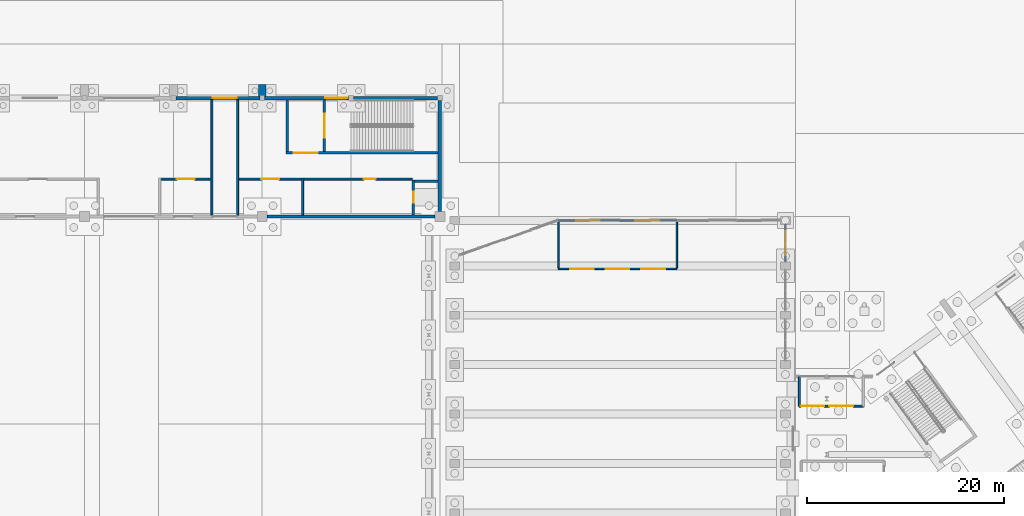
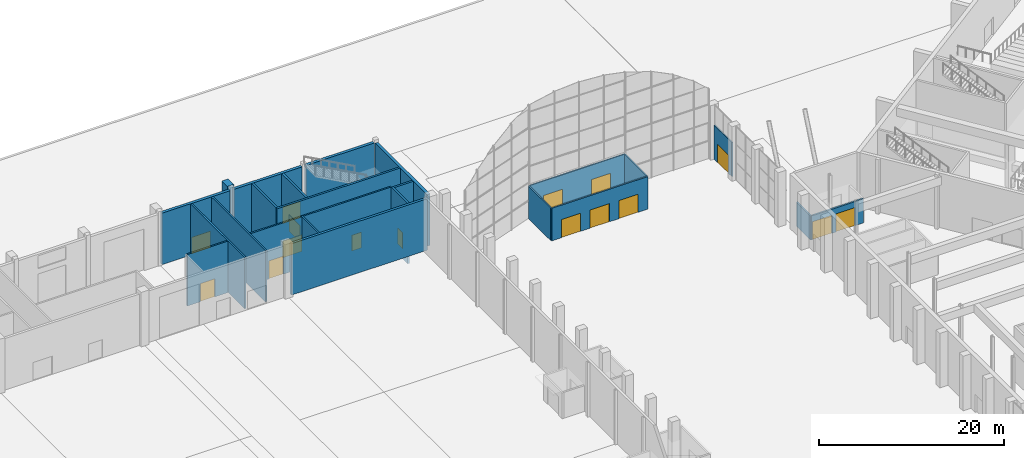
# One storey, part 186 of 239: 23 walls, 16 doors, 16 openings.
"""IFC4 building model written with IfcOpenShell, lengths in metres."""

from ifc_helpers import new_model, si_unit, direction, frame, frame_2d, origin, place, context, subcontext, project, spatial, rectangle, extrude, material, layer, layer_set, type_object, element, fill, save


model = new_model("IFC4")

# Units and contexts
model_context = context("Model", 3, precision=1e-05, world=origin(), true_north=direction((0.0, 1.0)))
body_context = subcontext(model_context, "Body", "Model", "MODEL_VIEW")
ifc_project = project(units=[si_unit("LENGTHUNIT", "METRE"), si_unit("AREAUNIT", "SQUARE_METRE"), si_unit("VOLUMEUNIT", "CUBIC_METRE"), si_unit("PLANEANGLEUNIT", "RADIAN"), si_unit("MASSUNIT", "GRAM", prefix="KILO")], contexts=[model_context])

# Site, building, storey
site_placement = place(None, origin())
site = spatial("IfcSite", under=ifc_project, at=site_placement, CompositionType="ELEMENT")
building_placement = place(site_placement, origin())
building = spatial("IfcBuilding", under=site, at=building_placement, Name="Okhra Congress Centre", CompositionType="ELEMENT")
storey_placement = place(building_placement, origin())
storey = spatial("IfcBuildingStorey", under=building, at=storey_placement, Name="L00", CompositionType="ELEMENT", Elevation=0.0)

# Wall, openings, doors
ifc_material_1 = material(Name="Aluminium frame with insulated glazing (thermally broken)", Category="aluminium")
ifc_layer_1 = layer(ifc_material_1, 0.14990234375)
ifc_layer_set_1 = layer_set([ifc_layer_1], Name="Aluminium glazed screen wall 150")
wall_type_1 = type_object("IfcWallType", Name="Aluminium glazed screen wall 150", PredefinedType="SOLIDWALL", material=ifc_layer_set_1)
wall_1_placement = place(storey_placement, frame((166.0, 215.60009765625, 0.0), z_axis=(0.0, 0.0, 1.0), x_axis=(1.0, 0.0, 0.0)))
wall_1 = element("IfcWall", 1, at=wall_1_placement, inside=storey, type_object=wall_type_1, Name="North entrance outer wall", PredefinedType="SOLIDWALL", context=body_context, shape_type="SweptSolid", body=[
    extrude(rectangle(XDim=12.0, YDim=0.14990234375, at=frame_2d((6.0, 0.0))), origin(), (0.0, 0.0, 1.0), 4.300048828125),
])
opening_1_placement = place(wall_1_placement, frame((1.800048828125, 0.0, 0.0)))
opening_1 = element("IfcOpeningElement", 2, at=opening_1_placement, cuts=wall_1, Name="Opening L00-073", PredefinedType="OPENING", context=body_context, shape_type="SweptSolid", body=[
    extrude(rectangle(XDim=2.39990234375, YDim=2.39990234375, at=frame_2d((1.199951171875, 1.199951171875))), frame((0.0, 0.0849609375, 0.0), z_axis=(0.0, -1.0, 0.0), x_axis=(1.0, 0.0, 0.0)), (0.0, 0.0, 1.0), 0.169921875),
])
opening_2_placement = place(wall_1_placement, frame((7.800048828125, 0.0, 0.0)))
opening_2 = element("IfcOpeningElement", 3, at=opening_2_placement, cuts=wall_1, Name="Opening L00-074", PredefinedType="OPENING", context=body_context, shape_type="SweptSolid", body=[
    extrude(rectangle(XDim=2.39990234375, YDim=2.39990234375, at=frame_2d((1.199951171875, 1.199951171875))), frame((0.0, 0.0849609375, 0.0), z_axis=(0.0, -1.0, 0.0), x_axis=(1.0, 0.0, 0.0)), (0.0, 0.0, 1.0), 0.169921875),
])
ifc_material_2 = material(Name="Aluminium-framed toughened glass door leaves", Category="aluminium")
door_type_1 = type_object("IfcDoorType", Name="Aluminium glazed door pair 2400x2400", OperationType="NOTDEFINED", PredefinedType="DOOR", material=ifc_material_2)
door_1_placement = place(opening_1_placement, origin())
door_1 = element("IfcDoor", 4, at=door_1_placement, inside=storey, type_object=door_type_1, Name="North entrance exit doors", OperationType="DOUBLE_DOOR_SINGLE_SWING", OverallHeight=2.39990234375, OverallWidth=2.39990234375, PredefinedType="DOOR", context=body_context, shape_type="SweptSolid", body=[
    extrude(rectangle(XDim=2.39990234375, YDim=2.39990234375, at=frame_2d((1.199951171875, 1.199951171875))), frame((0.0, 0.02490234375, 0.0), z_axis=(0.0, -1.0, 0.0), x_axis=(1.0, 0.0, 0.0)), (0.0, 0.0, 1.0), 0.050048828125),
])
fill(opening_1, door_1)
door_2_placement = place(opening_2_placement, origin())
door_2 = element("IfcDoor", 5, at=door_2_placement, inside=storey, type_object=door_type_1, Name="North entrance exit doors", OperationType="DOUBLE_DOOR_SINGLE_SWING", OverallHeight=2.39990234375, OverallWidth=2.39990234375, PredefinedType="DOOR", context=body_context, shape_type="SweptSolid", body=[
    extrude(rectangle(XDim=2.39990234375, YDim=2.39990234375, at=frame_2d((1.199951171875, 1.199951171875))), frame((0.0, 0.02490234375, 0.0), z_axis=(0.0, -1.0, 0.0), x_axis=(1.0, 0.0, 0.0)), (0.0, 0.0, 1.0), 0.050048828125),
])
fill(opening_2, door_2)

wall_2_placement = place(storey_placement, frame((166.0, 210.699951171875, 0.0), z_axis=(0.0, 0.0, 1.0), x_axis=(1.0, 0.0, 0.0)))
wall_2 = element("IfcWall", 6, at=wall_2_placement, inside=storey, type_object=wall_type_1, Name="North entrance inner wall", PredefinedType="SOLIDWALL", context=body_context, shape_type="SweptSolid", body=[
    extrude(rectangle(XDim=12.0, YDim=0.14990234375, at=frame_2d((6.0, 0.0))), origin(), (0.0, 0.0, 1.0), 4.300048828125),
])
opening_3_placement = place(wall_2_placement, frame((1.199951171875, 0.0, 0.0)))
opening_3 = element("IfcOpeningElement", 7, at=opening_3_placement, cuts=wall_2, Name="Opening L00-075", PredefinedType="OPENING", context=body_context, shape_type="SweptSolid", body=[
    extrude(rectangle(XDim=2.39990234375, YDim=2.39990234375, at=frame_2d((1.199951171875, 1.199951171875))), frame((0.0, 0.0849609375, 0.0), z_axis=(0.0, -1.0, 0.0), x_axis=(1.0, 0.0, 0.0)), (0.0, 0.0, 1.0), 0.169921875),
])
opening_4_placement = place(wall_2_placement, frame((4.800048828125, 0.0, 0.0)))
opening_4 = element("IfcOpeningElement", 8, at=opening_4_placement, cuts=wall_2, Name="Opening L00-076", PredefinedType="OPENING", context=body_context, shape_type="SweptSolid", body=[
    extrude(rectangle(XDim=2.39990234375, YDim=2.39990234375, at=frame_2d((1.199951171875, 1.199951171875))), frame((0.0, 0.0849609375, 0.0), z_axis=(0.0, -1.0, 0.0), x_axis=(1.0, 0.0, 0.0)), (0.0, 0.0, 1.0), 0.169921875),
])
opening_5_placement = place(wall_2_placement, frame((8.39990234375, 0.0, 0.0)))
opening_5 = element("IfcOpeningElement", 9, at=opening_5_placement, cuts=wall_2, Name="Opening L00-077", PredefinedType="OPENING", context=body_context, shape_type="SweptSolid", body=[
    extrude(rectangle(XDim=2.39990234375, YDim=2.39990234375, at=frame_2d((1.199951171875, 1.199951171875))), frame((0.0, 0.0849609375, 0.0), z_axis=(0.0, -1.0, 0.0), x_axis=(1.0, 0.0, 0.0)), (0.0, 0.0, 1.0), 0.169921875),
])
ifc_material_3 = material(Name="Aluminium-framed toughened glass sliding leaves, thermally broken", Category="aluminium")
door_type_2 = type_object("IfcDoorType", Name="Automatic sliding glazed door 2400x2400", OperationType="DOUBLE_DOOR_SLIDING", PredefinedType="DOOR", material=ifc_material_3)
door_3_placement = place(opening_3_placement, origin())
door_3 = element("IfcDoor", 10, at=door_3_placement, inside=storey, type_object=door_type_2, Name="North entrance inner doors", OperationType="DOUBLE_DOOR_SLIDING", OverallHeight=2.39990234375, OverallWidth=2.39990234375, PredefinedType="DOOR", context=body_context, shape_type="SweptSolid", body=[
    extrude(rectangle(XDim=2.39990234375, YDim=2.39990234375, at=frame_2d((1.199951171875, 1.199951171875))), frame((0.0, 0.02490234375, 0.0), z_axis=(0.0, -1.0, 0.0), x_axis=(1.0, 0.0, 0.0)), (0.0, 0.0, 1.0), 0.050048828125),
])
fill(opening_3, door_3)
door_4_placement = place(opening_4_placement, origin())
door_4 = element("IfcDoor", 11, at=door_4_placement, inside=storey, type_object=door_type_2, Name="North entrance inner doors", OperationType="DOUBLE_DOOR_SLIDING", OverallHeight=2.39990234375, OverallWidth=2.39990234375, PredefinedType="DOOR", context=body_context, shape_type="SweptSolid", body=[
    extrude(rectangle(XDim=2.39990234375, YDim=2.39990234375, at=frame_2d((1.199951171875, 1.199951171875))), frame((0.0, 0.02490234375, 0.0), z_axis=(0.0, -1.0, 0.0), x_axis=(1.0, 0.0, 0.0)), (0.0, 0.0, 1.0), 0.050048828125),
])
fill(opening_4, door_4)
door_5_placement = place(opening_5_placement, origin())
door_5 = element("IfcDoor", 12, at=door_5_placement, inside=storey, type_object=door_type_2, Name="North entrance inner doors", OperationType="DOUBLE_DOOR_SLIDING", OverallHeight=2.39990234375, OverallWidth=2.39990234375, PredefinedType="DOOR", context=body_context, shape_type="SweptSolid", body=[
    extrude(rectangle(XDim=2.39990234375, YDim=2.39990234375, at=frame_2d((1.199951171875, 1.199951171875))), frame((0.0, 0.02490234375, 0.0), z_axis=(0.0, -1.0, 0.0), x_axis=(1.0, 0.0, 0.0)), (0.0, 0.0, 1.0), 0.050048828125),
])
fill(opening_5, door_5)

# Walls
for number, where, z_axis, x_axis, name in (
    (13, (166.0, 210.77490234375, 0.0), (0.0, 0.0, 1.0), (0.0, 1.0, 0.0), "North entrance west side wall"),
    (14, (178.0, 210.77490234375, 0.0), (0.0, 0.0, 1.0), (0.0, 1.0, 0.0), "North entrance east side wall"),
):
    element("IfcWall", number, at=place(storey_placement, frame(where, z_axis=z_axis, x_axis=x_axis)), inside=storey, type_object=wall_type_1, Name=name, PredefinedType="SOLIDWALL", context=body_context, shape_type="SweptSolid", body=[
        extrude(rectangle(XDim=4.75, YDim=0.14990234375, at=frame_2d((2.375, 0.0))), origin(), (0.0, 0.0, 1.0), 4.300048828125),
    ])

# Wall, opening, door
wall_3_placement = place(storey_placement, frame((189.0, 211.39990234375, 0.0), z_axis=(0.0, 0.0, 1.0), x_axis=(0.0, 1.0, 0.0)))
wall_3 = element("IfcWall", 15, at=wall_3_placement, inside=storey, type_object=wall_type_1, Name="East exit bay 9 lower wall", PredefinedType="SOLIDWALL", context=body_context, shape_type="SweptSolid", body=[
    extrude(rectangle(XDim=3.800048828125, YDim=0.14990234375, at=frame_2d((1.89990234375, 0.0))), origin(), (0.0, 0.0, 1.0), 4.5),
])
opening_6_placement = place(wall_3_placement, frame((0.699951171875, 0.0, 0.0)))
opening_6 = element("IfcOpeningElement", 16, at=opening_6_placement, cuts=wall_3, Name="Opening L00-084", PredefinedType="OPENING", context=body_context, shape_type="SweptSolid", body=[
    extrude(rectangle(XDim=2.39990234375, YDim=2.39990234375, at=frame_2d((1.199951171875, 1.199951171875))), frame((0.0, 0.0849609375, 0.0), z_axis=(0.0, -1.0, 0.0), x_axis=(1.0, 0.0, 0.0)), (0.0, 0.0, 1.0), 0.169921875),
])
door_6_placement = place(opening_6_placement, frame((2.39990234375, 0.0, 0.0), z_axis=(0.0, 0.0, 1.0), x_axis=(-1.0, 0.0, 0.0)))
door_6 = element("IfcDoor", 17, at=door_6_placement, inside=storey, type_object=door_type_1, Name="East exit doors 9", OperationType="DOUBLE_DOOR_SINGLE_SWING", OverallHeight=2.39990234375, OverallWidth=2.39990234375, PredefinedType="DOOR", context=body_context, shape_type="SweptSolid", body=[
    extrude(rectangle(XDim=2.39990234375, YDim=2.39990234375, at=frame_2d((1.199951171875, 1.199951171875))), frame((0.0, 0.02490234375, 0.0), z_axis=(0.0, -1.0, 0.0), x_axis=(1.0, 0.0, 0.0)), (0.0, 0.0, 1.0), 0.050048828125),
])
fill(opening_6, door_6)

# Wall
ifc_material_4 = material(Name="Concrete C35/45", Category="concrete")
ifc_layer_2 = layer(ifc_material_4, 0.800048828125)
ifc_layer_set_2 = layer_set([ifc_layer_2], Name="Buttress fin 800 REI 120 C35/45")
wall_type_2 = type_object("IfcWallType", Name="Buttress fin 800 REI 120 C35/45", PredefinedType="SOLIDWALL", material=ifc_layer_set_2)
wall_4_placement = place(storey_placement, frame((136.0, 228.169921875, -0.39990234375), z_axis=(0.0, 0.0, 1.0), x_axis=(0.0, 1.0, 0.0)))
element("IfcWall", 18, at=wall_4_placement, inside=storey, type_object=wall_type_2, Name="EH.WALL.L00.69", PredefinedType="SOLIDWALL", context=body_context, shape_type="SweptSolid", body=[
    extrude(rectangle(XDim=1.205078125, YDim=0.800048828125, at=frame_2d((0.6025390625, 0.0))), origin(), (0.0, 0.0, 1.0), 7.599853515625),
])

# Wall, opening, door
ifc_material_5 = material(Name="Insulated metal sandwich panel (mineral wool core)")
ifc_layer_3 = layer(ifc_material_5, 0.35009765625)
ifc_layer_set_3 = layer_set([ifc_layer_3], Name="Insulated wall panel 350")
wall_type_3 = type_object("IfcWallType", Name="Insulated wall panel 350", PredefinedType="SOLIDWALL", material=ifc_layer_set_3)
wall_5_placement = place(storey_placement, frame((127.25, 228.0, 0.0), z_axis=(0.0, 0.0, 1.0), x_axis=(1.0, 0.0, 0.0)))
wall_5 = element("IfcWall", 19, at=wall_5_placement, inside=storey, type_object=wall_type_3, Name="EH.WALL.L00.50", PredefinedType="SOLIDWALL", context=body_context, shape_type="SweptSolid", body=[
    extrude(rectangle(XDim=8.5, YDim=0.35009765625, at=frame_2d((4.25, 0.0))), origin(), (0.0, 0.0, 1.0), 6.800048828125),
])
opening_7_placement = place(wall_5_placement, frame((3.75, 0.0, 0.0)))
opening_7 = element("IfcOpeningElement", 20, at=opening_7_placement, cuts=wall_5, Name="Opening L00-056", PredefinedType="OPENING", context=body_context, shape_type="SweptSolid", body=[
    extrude(rectangle(XDim=2.39990234375, YDim=2.199951171875, at=frame_2d((1.199951171875, 1.10009765625))), frame((0.0, 0.18505859375, 0.0), z_axis=(0.0, -1.0, 0.0), x_axis=(1.0, 0.0, 0.0)), (0.0, 0.0, 1.0), 0.3701171875),
])
ifc_material_6 = material(Name="Timber door leaves in steel frame", Category="steel")
door_type_3 = type_object("IfcDoorType", Name="Double swing door 2400x2200", OperationType="NOTDEFINED", PredefinedType="DOOR", material=ifc_material_6)
door_7_placement = place(opening_7_placement, origin())
door_7 = element("IfcDoor", 21, at=door_7_placement, inside=storey, type_object=door_type_3, Name="Door L00-056", OperationType="DOUBLE_DOOR_SINGLE_SWING", OverallHeight=2.199951171875, OverallWidth=2.39990234375, PredefinedType="DOOR", context=body_context, shape_type="SweptSolid", body=[
    extrude(rectangle(XDim=2.39990234375, YDim=2.199951171875, at=frame_2d((1.199951171875, 1.10009765625))), frame((0.0, 0.02490234375, 0.0), z_axis=(0.0, -1.0, 0.0), x_axis=(1.0, 0.0, 0.0)), (0.0, 0.0, 1.0), 0.050048828125),
])
fill(opening_7, door_7)

ifc_material_7 = material(Name="Masonry blockwork (aerated concrete D500)", Category="masonry")
ifc_layer_4 = layer(ifc_material_7, 0.199951171875)
ifc_layer_set_4 = layer_set([ifc_layer_4], Name="Masonry block wall 200 EI 45")
wall_type_4 = type_object("IfcWallType", Name="Masonry block wall 200 EI 45", PredefinedType="SOLIDWALL", material=ifc_layer_set_4)
wall_6_placement = place(storey_placement, frame((125.699951171875, 219.800048828125, 0.0), z_axis=(0.0, 0.0, 1.0), x_axis=(1.0, 0.0, 0.0)))
wall_6 = element("IfcWall", 22, at=wall_6_placement, inside=storey, type_object=wall_type_4, Name="EH.WALL.L00.73", PredefinedType="SOLIDWALL", context=body_context, shape_type="SweptSolid", body=[
    extrude(rectangle(XDim=5.10009765625, YDim=0.199951171875, at=frame_2d((2.550048828125, 0.0))), origin(), (0.0, 0.0, 1.0), 6.800048828125),
])
opening_8_placement = place(wall_6_placement, frame((1.64990234375, 0.0, 0.0)))
opening_8 = element("IfcOpeningElement", 23, at=opening_8_placement, cuts=wall_6, Name="Opening L00-069", PredefinedType="OPENING", context=body_context, shape_type="SweptSolid", body=[
    extrude(rectangle(XDim=1.800048828125, YDim=2.39990234375, at=frame_2d((0.89990234375, 1.199951171875))), frame((0.0, 0.10986328125, 0.0), z_axis=(0.0, -1.0, 0.0), x_axis=(1.0, 0.0, 0.0)), (0.0, 0.0, 1.0), 0.219970703125),
])
ifc_material_8 = material(Name="Steel fire door leaves in steel frame, intumescent seals", Category="steel")
door_type_4 = type_object("IfcDoorType", Name="Steel fire door pair 1800x2400 EI 30", OperationType="NOTDEFINED", PredefinedType="DOOR", material=ifc_material_8)
door_8_placement = place(opening_8_placement, frame((1.800048828125, 0.0, 0.0), z_axis=(0.0, 0.0, 1.0), x_axis=(-1.0, 0.0, 0.0)))
door_8 = element("IfcDoor", 24, at=door_8_placement, inside=storey, type_object=door_type_4, Name="Door L00-069", OperationType="DOUBLE_DOOR_SINGLE_SWING", OverallHeight=2.39990234375, OverallWidth=1.800048828125, PredefinedType="DOOR", context=body_context, shape_type="SweptSolid", body=[
    extrude(rectangle(XDim=1.800048828125, YDim=2.39990234375, at=frame_2d((0.89990234375, 1.199951171875))), frame((0.0, 0.02490234375, 0.0), z_axis=(0.0, -1.0, 0.0), x_axis=(1.0, 0.0, 0.0)), (0.0, 0.0, 1.0), 0.050048828125),
])
fill(opening_8, door_8)

# Wall, openings, doors
wall_7_placement = place(storey_placement, frame((133.60009765625, 219.800048828125, 0.0), z_axis=(0.0, 0.0, 1.0), x_axis=(1.0, 0.0, 0.0)))
wall_7 = element("IfcWall", 25, at=wall_7_placement, inside=storey, type_object=wall_type_4, Name="EH.WALL.L00.74", PredefinedType="SOLIDWALL", context=body_context, shape_type="SweptSolid", body=[
    extrude(rectangle(XDim=17.574951171875, YDim=0.199951171875, at=frame_2d((8.78759765625, 0.0))), origin(), (0.0, 0.0, 1.0), 6.800048828125),
])
opening_9_placement = place(wall_7_placement, frame((2.300048828125, 0.0, 0.0)))
opening_9 = element("IfcOpeningElement", 26, at=opening_9_placement, cuts=wall_7, Name="Opening L00-070", PredefinedType="OPENING", context=body_context, shape_type="SweptSolid", body=[
    extrude(rectangle(XDim=1.800048828125, YDim=2.39990234375, at=frame_2d((0.89990234375, 1.199951171875))), frame((0.0, 0.10986328125, 0.0), z_axis=(0.0, -1.0, 0.0), x_axis=(1.0, 0.0, 0.0)), (0.0, 0.0, 1.0), 0.219970703125),
])
opening_10_placement = place(wall_7_placement, frame((12.699951171875, 0.0, 0.0)))
opening_10 = element("IfcOpeningElement", 27, at=opening_10_placement, cuts=wall_7, Name="Opening L00-071", PredefinedType="OPENING", context=body_context, shape_type="SweptSolid", body=[
    extrude(rectangle(XDim=1.199951171875, YDim=2.10009765625, at=frame_2d((0.60009765625, 1.050048828125))), frame((0.0, 0.10986328125, 0.0), z_axis=(0.0, -1.0, 0.0), x_axis=(1.0, 0.0, 0.0)), (0.0, 0.0, 1.0), 0.219970703125),
])
ifc_material_9 = material(Name="Timber door leaf in steel frame", Category="steel")
door_type_5 = type_object("IfcDoorType", Name="Single swing door 1200x2100", OperationType="NOTDEFINED", PredefinedType="DOOR", material=ifc_material_9)
door_9_placement = place(opening_10_placement, frame((1.199951171875, 0.0, 0.0), z_axis=(0.0, 0.0, 1.0), x_axis=(-1.0, 0.0, 0.0)))
door_9 = element("IfcDoor", 28, at=door_9_placement, inside=storey, type_object=door_type_5, Name="Door L00-071", OperationType="SINGLE_SWING_RIGHT", OverallHeight=2.10009765625, OverallWidth=1.199951171875, PredefinedType="DOOR", context=body_context, shape_type="SweptSolid", body=[
    extrude(rectangle(XDim=1.199951171875, YDim=2.10009765625, at=frame_2d((0.60009765625, 1.050048828125))), frame((0.0, 0.02490234375, 0.0), z_axis=(0.0, -1.0, 0.0), x_axis=(1.0, 0.0, 0.0)), (0.0, 0.0, 1.0), 0.050048828125),
])
fill(opening_10, door_9)
door_10_placement = place(opening_9_placement, frame((1.800048828125, 0.0, 0.0), z_axis=(0.0, 0.0, 1.0), x_axis=(-1.0, 0.0, 0.0)))
door_10 = element("IfcDoor", 29, at=door_10_placement, inside=storey, type_object=door_type_4, Name="Door L00-070", OperationType="DOUBLE_DOOR_SINGLE_SWING", OverallHeight=2.39990234375, OverallWidth=1.800048828125, PredefinedType="DOOR", context=body_context, shape_type="SweptSolid", body=[
    extrude(rectangle(XDim=1.800048828125, YDim=2.39990234375, at=frame_2d((0.89990234375, 1.199951171875))), frame((0.0, 0.02490234375, 0.0), z_axis=(0.0, -1.0, 0.0), x_axis=(1.0, 0.0, 0.0)), (0.0, 0.0, 1.0), 0.050048828125),
])
fill(opening_9, door_10)

# Walls
wall_8_placement = place(storey_placement, frame((140.10009765625, 216.14990234375, 0.0), z_axis=(0.0, 0.0, 1.0), x_axis=(0.0, 1.0, 0.0)))
element("IfcWall", 30, at=wall_8_placement, inside=storey, type_object=wall_type_4, Name="EH.WALL.L00.81", PredefinedType="SOLIDWALL", context=body_context, shape_type="SweptSolid", body=[
    extrude(rectangle(XDim=3.75, YDim=0.199951171875, at=frame_2d((1.875, 0.0))), origin(), (0.0, 0.0, 1.0), 6.800048828125),
])
ifc_material_10 = material(Name="Concrete C30/37", Category="concrete")
ifc_layer_5 = layer(ifc_material_10, 0.300048828125)
ifc_layer_set_5 = layer_set([ifc_layer_5], Name="RC fire wall 300 REI 150 C30/37")
wall_type_5 = type_object("IfcWallType", Name="RC fire wall 300 REI 150 C30/37", PredefinedType="SOLIDWALL", material=ifc_layer_set_5)
wall_9_placement = place(storey_placement, frame((136.5, 216.0, 0.0), z_axis=(0.0, 0.0, 1.0), x_axis=(1.0, 0.0, 0.0)))
element("IfcWall", 31, at=wall_9_placement, inside=storey, type_object=wall_type_5, Name="EH.WALL.L00.28", PredefinedType="SOLIDWALL", context=body_context, shape_type="SweptSolid", body=[
    extrude(rectangle(XDim=17.0, YDim=0.300048828125, at=frame_2d((8.5, 0.0))), origin(), (0.0, 0.0, 1.0), 6.800048828125),
])
ifc_layer_6 = layer(ifc_material_10, 0.199951171875)
ifc_layer_set_6 = layer_set([ifc_layer_6], Name="RC wall 200 C30/37")
wall_type_6 = type_object("IfcWallType", Name="RC wall 200 C30/37", PredefinedType="SOLIDWALL", material=ifc_layer_set_6)
wall_10_placement = place(storey_placement, frame((190.39990234375, 199.7900390625, 0.0), z_axis=(0.0, 0.0, 1.0), x_axis=(0.0, -1.0, 0.0)))
element("IfcWall", 32, at=wall_10_placement, inside=storey, type_object=wall_type_6, Name="Vestibule 4 side wall 1", PredefinedType="SOLIDWALL", context=body_context, shape_type="SweptSolid", body=[
    extrude(rectangle(XDim=3.0, YDim=0.199951171875, at=frame_2d((1.5, 0.0))), origin(), (0.0, 0.0, 1.0), 3.199951171875),
])

# Wall, openings, doors
wall_11_placement = place(storey_placement, frame((190.39990234375, 196.7900390625, 0.0), z_axis=(0.0, 0.0, 1.0), x_axis=(1.0, 0.0, 0.0)))
wall_11 = element("IfcWall", 33, at=wall_11_placement, inside=storey, type_object=wall_type_6, Name="Vestibule 4 inner wall", PredefinedType="SOLIDWALL", context=body_context, shape_type="SweptSolid", body=[
    extrude(rectangle(XDim=6.5, YDim=0.199951171875, at=frame_2d((3.25, 0.0))), origin(), (0.0, 0.0, 1.0), 3.199951171875),
])
opening_11_placement = place(wall_11_placement, frame((0.14990234375, 0.0, 0.0)))
opening_11 = element("IfcOpeningElement", 34, at=opening_11_placement, cuts=wall_11, Name="Opening L00-221", PredefinedType="OPENING", context=body_context, shape_type="SweptSolid", body=[
    extrude(rectangle(XDim=2.39990234375, YDim=2.39990234375, at=frame_2d((1.199951171875, 1.199951171875))), frame((0.0, 0.10986328125, 0.0), z_axis=(0.0, -1.0, 0.0), x_axis=(1.0, 0.0, 0.0)), (0.0, 0.0, 1.0), 0.219970703125),
])
opening_12_placement = place(wall_11_placement, frame((3.050048828125, 0.0, 0.0)))
opening_12 = element("IfcOpeningElement", 35, at=opening_12_placement, cuts=wall_11, Name="Opening L00-223", PredefinedType="OPENING", context=body_context, shape_type="SweptSolid", body=[
    extrude(rectangle(XDim=2.39990234375, YDim=2.39990234375, at=frame_2d((1.199951171875, 1.199951171875))), frame((0.0, 0.10986328125, 0.0), z_axis=(0.0, -1.0, 0.0), x_axis=(1.0, 0.0, 0.0)), (0.0, 0.0, 1.0), 0.219970703125),
])
door_11_placement = place(opening_11_placement, frame((2.39990234375, 0.0, 0.0), z_axis=(0.0, 0.0, 1.0), x_axis=(-1.0, 0.0, 0.0)))
door_11 = element("IfcDoor", 36, at=door_11_placement, inside=storey, type_object=door_type_1, Name="Door L00-221", OperationType="DOUBLE_DOOR_SINGLE_SWING", OverallHeight=2.39990234375, OverallWidth=2.39990234375, PredefinedType="DOOR", context=body_context, shape_type="SweptSolid", body=[
    extrude(rectangle(XDim=2.39990234375, YDim=2.39990234375, at=frame_2d((1.199951171875, 1.199951171875))), frame((0.0, 0.02490234375, 0.0), z_axis=(0.0, -1.0, 0.0), x_axis=(1.0, 0.0, 0.0)), (0.0, 0.0, 1.0), 0.050048828125),
])
fill(opening_11, door_11)
door_12_placement = place(opening_12_placement, frame((2.39990234375, 0.0, 0.0), z_axis=(0.0, 0.0, 1.0), x_axis=(-1.0, 0.0, 0.0)))
door_12 = element("IfcDoor", 37, at=door_12_placement, inside=storey, type_object=door_type_1, Name="Door L00-223", OperationType="DOUBLE_DOOR_SINGLE_SWING", OverallHeight=2.39990234375, OverallWidth=2.39990234375, PredefinedType="DOOR", context=body_context, shape_type="SweptSolid", body=[
    extrude(rectangle(XDim=2.39990234375, YDim=2.39990234375, at=frame_2d((1.199951171875, 1.199951171875))), frame((0.0, 0.02490234375, 0.0), z_axis=(0.0, -1.0, 0.0), x_axis=(1.0, 0.0, 0.0)), (0.0, 0.0, 1.0), 0.050048828125),
])
fill(opening_12, door_12)

# Walls
ifc_layer_7 = layer(ifc_material_10, 0.199951171875)
ifc_layer_set_7 = layer_set([ifc_layer_7], Name="RC wall 200 REI 120 C30/37")
wall_type_7 = type_object("IfcWallType", Name="RC wall 200 REI 120 C30/37", PredefinedType="SOLIDWALL", material=ifc_layer_set_7)
for number, where, z_axis, x_axis, name in (
    (38, (130.89990234375, 216.14990234375, 0.0), (0.0, 0.0, 1.0), (0.0, 1.0, 0.0), "EH.WALL.L00.89"),
    (39, (133.5, 216.14990234375, 0.0), (0.0, 0.0, 1.0), (0.0, 1.0, 0.0), "EH.WALL.L00.90"),
):
    element("IfcWall", number, at=place(storey_placement, frame(where, z_axis=z_axis, x_axis=x_axis)), inside=storey, type_object=wall_type_7, Name=name, PredefinedType="SOLIDWALL", context=body_context, shape_type="SweptSolid", body=[
        extrude(rectangle(XDim=11.675048828125, YDim=0.199951171875, at=frame_2d((5.83740234375, 0.0))), origin(), (0.0, 0.0, 1.0), 6.800048828125),
    ])

# Wall, opening, door
ifc_layer_8 = layer(ifc_material_10, 0.25)
ifc_layer_set_8 = layer_set([ifc_layer_8], Name="RC wall 250 REI 120 C30/37")
wall_type_8 = type_object("IfcWallType", Name="RC wall 250 REI 120 C30/37", PredefinedType="SOLIDWALL", material=ifc_layer_set_8)
wall_12_placement = place(storey_placement, frame((138.425048828125, 222.449951171875, 0.0), z_axis=(0.0, 0.0, 1.0), x_axis=(1.0, 0.0, 0.0)))
wall_12 = element("IfcWall", 40, at=wall_12_placement, inside=storey, type_object=wall_type_8, Name="EH.WALL.L00.60", PredefinedType="SOLIDWALL", context=body_context, shape_type="SweptSolid", body=[
    extrude(rectangle(XDim=15.39990234375, YDim=0.25, at=frame_2d((7.699951171875, 0.0))), origin(), (0.0, 0.0, 1.0), 6.800048828125),
])
opening_13_placement = place(wall_12_placement, frame((0.77490234375, 0.0, 0.0)))
opening_13 = element("IfcOpeningElement", 41, at=opening_13_placement, cuts=wall_12, Name="Opening L00-061", PredefinedType="OPENING", context=body_context, shape_type="SweptSolid", body=[
    extrude(rectangle(XDim=2.39990234375, YDim=2.199951171875, at=frame_2d((1.199951171875, 1.10009765625))), frame((0.0, 0.135009765625, 0.0), z_axis=(0.0, -1.0, 0.0), x_axis=(1.0, 0.0, 0.0)), (0.0, 0.0, 1.0), 0.27001953125),
])
door_type_6 = type_object("IfcDoorType", Name="Steel fire door pair 2400x2200 EI 30", OperationType="NOTDEFINED", PredefinedType="DOOR", material=ifc_material_8)
door_13_placement = place(opening_13_placement, origin())
door_13 = element("IfcDoor", 42, at=door_13_placement, inside=storey, type_object=door_type_6, Name="Door L00-061", OperationType="DOUBLE_DOOR_SINGLE_SWING", OverallHeight=2.199951171875, OverallWidth=2.39990234375, PredefinedType="DOOR", context=body_context, shape_type="SweptSolid", body=[
    extrude(rectangle(XDim=2.39990234375, YDim=2.199951171875, at=frame_2d((1.199951171875, 1.10009765625))), frame((0.0, 0.02490234375, 0.0), z_axis=(0.0, -1.0, 0.0), x_axis=(1.0, 0.0, 0.0)), (0.0, 0.0, 1.0), 0.050048828125),
])
fill(opening_13, door_13)

wall_13_placement = place(storey_placement, frame((142.300048828125, 222.574951171875, 0.0), z_axis=(0.0, 0.0, 1.0), x_axis=(0.0, 1.0, 0.0)))
wall_13 = element("IfcWall", 43, at=wall_13_placement, inside=storey, type_object=wall_type_8, Name="EH.WALL.L00.61", PredefinedType="SOLIDWALL", context=body_context, shape_type="SweptSolid", body=[
    extrude(rectangle(XDim=5.25, YDim=0.25, at=frame_2d((2.625, 0.0))), origin(), (0.0, 0.0, 1.0), 6.800048828125),
])
opening_14_placement = place(wall_13_placement, frame((1.425048828125, 0.0, 0.0)))
opening_14 = element("IfcOpeningElement", 44, at=opening_14_placement, cuts=wall_13, Name="Opening L00-062", PredefinedType="OPENING", context=body_context, shape_type="SweptSolid", body=[
    extrude(rectangle(XDim=2.39990234375, YDim=2.199951171875, at=frame_2d((1.199951171875, 1.10009765625))), frame((0.0, 0.135009765625, 0.0), z_axis=(0.0, -1.0, 0.0), x_axis=(1.0, 0.0, 0.0)), (0.0, 0.0, 1.0), 0.27001953125),
])
door_14_placement = place(opening_14_placement, origin())
door_14 = element("IfcDoor", 45, at=door_14_placement, inside=storey, type_object=door_type_6, Name="Door L00-062", OperationType="DOUBLE_DOOR_SINGLE_SWING", OverallHeight=2.199951171875, OverallWidth=2.39990234375, PredefinedType="DOOR", context=body_context, shape_type="SweptSolid", body=[
    extrude(rectangle(XDim=2.39990234375, YDim=2.199951171875, at=frame_2d((1.199951171875, 1.10009765625))), frame((0.0, 0.02490234375, 0.0), z_axis=(0.0, -1.0, 0.0), x_axis=(1.0, 0.0, 0.0)), (0.0, 0.0, 1.0), 0.050048828125),
])
fill(opening_14, door_14)

# Wall
wall_14_placement = place(storey_placement, frame((138.550048828125, 222.574951171875, 0.0), z_axis=(0.0, 0.0, 1.0), x_axis=(0.0, 1.0, 0.0)))
element("IfcWall", 46, at=wall_14_placement, inside=storey, type_object=wall_type_8, Name="EH.WALL.L00.62", PredefinedType="SOLIDWALL", context=body_context, shape_type="SweptSolid", body=[
    extrude(rectangle(XDim=5.25, YDim=0.25, at=frame_2d((2.625, 0.0))), origin(), (0.0, 0.0, 1.0), 6.800048828125),
])

# Wall, opening, door
wall_15_placement = place(storey_placement, frame((151.300048828125, 216.14990234375, -1.199951171875), z_axis=(0.0, 0.0, 1.0), x_axis=(0.0, 1.0, 0.0)))
wall_15 = element("IfcWall", 47, at=wall_15_placement, inside=storey, type_object=wall_type_8, Name="EH.WALL.L00.91", PredefinedType="SOLIDWALL", context=body_context, shape_type="SweptSolid", body=[
    extrude(rectangle(XDim=3.550048828125, YDim=0.25, at=frame_2d((1.77490234375, 0.0))), origin(), (0.0, 0.0, 1.0), 8.0),
])
opening_15_placement = place(wall_15_placement, frame((1.25, 0.0, 1.199951171875)))
opening_15 = element("IfcOpeningElement", 48, at=opening_15_placement, cuts=wall_15, Name="Opening L00-072", PredefinedType="OPENING", context=body_context, shape_type="SweptSolid", body=[
    extrude(rectangle(XDim=1.10009765625, YDim=2.10009765625, at=frame_2d((0.550048828125, 1.050048828125))), frame((0.0, 0.135009765625, 0.0), z_axis=(0.0, -1.0, 0.0), x_axis=(1.0, 0.0, 0.0)), (0.0, 0.0, 1.0), 0.27001953125),
])
ifc_material_11 = material(Name="Stainless steel sliding landing door leaves", Category="steel")
door_type_7 = type_object("IfcDoorType", Name="Lift landing door 1100x2100 EI 30", OperationType="DOUBLE_DOOR_SLIDING", PredefinedType="DOOR", material=ifc_material_11)
door_15_placement = place(opening_15_placement, origin())
door_15 = element("IfcDoor", 49, at=door_15_placement, inside=storey, type_object=door_type_7, Name="Door L00-072", OperationType="DOUBLE_DOOR_SLIDING", OverallHeight=2.10009765625, OverallWidth=1.10009765625, PredefinedType="DOOR", context=body_context, shape_type="SweptSolid", body=[
    extrude(rectangle(XDim=1.10009765625, YDim=2.10009765625, at=frame_2d((0.550048828125, 1.050048828125))), frame((0.0, 0.02490234375, 0.0), z_axis=(0.0, -1.0, 0.0), x_axis=(1.0, 0.0, 0.0)), (0.0, 0.0, 1.0), 0.050048828125),
])
fill(opening_15, door_15)

# Walls
wall_16_placement = place(storey_placement, frame((151.425048828125, 219.574951171875, -1.199951171875), z_axis=(0.0, 0.0, 1.0), x_axis=(1.0, 0.0, 0.0)))
element("IfcWall", 50, at=wall_16_placement, inside=storey, type_object=wall_type_8, Name="EH.WALL.L00.92", PredefinedType="SOLIDWALL", context=body_context, shape_type="SweptSolid", body=[
    extrude(rectangle(XDim=2.39990234375, YDim=0.25, at=frame_2d((1.199951171875, 0.0))), origin(), (0.0, 0.0, 1.0), 8.0),
])
ifc_layer_9 = layer(ifc_material_10, 0.35009765625)
ifc_layer_set_9 = layer_set([ifc_layer_9], Name="RC wall 350 REI 120 C30/37")
wall_type_9 = type_object("IfcWallType", Name="RC wall 350 REI 120 C30/37", PredefinedType="SOLIDWALL", material=ifc_layer_set_9)
wall_17_placement = place(storey_placement, frame((154.0, 216.5, 0.0), z_axis=(0.0, 0.0, 1.0), x_axis=(0.0, 1.0, 0.0)))
element("IfcWall", 51, at=wall_17_placement, inside=storey, type_object=wall_type_9, Name="EH.WALL.L00.38", PredefinedType="SOLIDWALL", context=body_context, shape_type="SweptSolid", body=[
    extrude(rectangle(XDim=11.25, YDim=0.35009765625, at=frame_2d((5.625, 0.0))), origin(), (0.0, 0.0, 1.0), 6.800048828125),
])

# Wall, opening, door
wall_18_placement = place(storey_placement, frame((136.25, 228.0, 0.0), z_axis=(0.0, 0.0, 1.0), x_axis=(1.0, 0.0, 0.0)))
wall_18 = element("IfcWall", 52, at=wall_18_placement, inside=storey, type_object=wall_type_9, Name="EH.WALL.L00.51", PredefinedType="SOLIDWALL", context=body_context, shape_type="SweptSolid", body=[
    extrude(rectangle(XDim=8.5, YDim=0.35009765625, at=frame_2d((4.25, 0.0))), origin(), (0.0, 0.0, 1.0), 6.800048828125),
])
opening_16_placement = place(wall_18_placement, frame((6.14990234375, 0.0, 0.0)))
opening_16 = element("IfcOpeningElement", 53, at=opening_16_placement, cuts=wall_18, Name="Opening L00-053", PredefinedType="OPENING", context=body_context, shape_type="SweptSolid", body=[
    extrude(rectangle(XDim=2.199951171875, YDim=2.199951171875, at=frame_2d((1.10009765625, 1.10009765625))), frame((0.0, 0.18505859375, 0.0), z_axis=(0.0, -1.0, 0.0), x_axis=(1.0, 0.0, 0.0)), (0.0, 0.0, 1.0), 0.3701171875),
])
door_type_8 = type_object("IfcDoorType", Name="Double swing door 2200x2200", OperationType="NOTDEFINED", PredefinedType="DOOR", material=ifc_material_6)
door_16_placement = place(opening_16_placement, origin())
door_16 = element("IfcDoor", 54, at=door_16_placement, inside=storey, type_object=door_type_8, Name="Door L00-053", OperationType="DOUBLE_DOOR_SINGLE_SWING", OverallHeight=2.199951171875, OverallWidth=2.199951171875, PredefinedType="DOOR", context=body_context, shape_type="SweptSolid", body=[
    extrude(rectangle(XDim=2.199951171875, YDim=2.199951171875, at=frame_2d((1.10009765625, 1.10009765625))), frame((0.0, 0.02490234375, 0.0), z_axis=(0.0, -1.0, 0.0), x_axis=(1.0, 0.0, 0.0)), (0.0, 0.0, 1.0), 0.050048828125),
])
fill(opening_16, door_16)

# Wall
wall_19_placement = place(storey_placement, frame((145.25, 228.0, 0.0), z_axis=(0.0, 0.0, 1.0), x_axis=(1.0, 0.0, 0.0)))
element("IfcWall", 55, at=wall_19_placement, inside=storey, type_object=wall_type_9, Name="EH.WALL.L00.52", PredefinedType="SOLIDWALL", context=body_context, shape_type="SweptSolid", body=[
    extrude(rectangle(XDim=8.5, YDim=0.35009765625, at=frame_2d((4.25, 0.0))), origin(), (0.0, 0.0, 1.0), 6.800048828125),
])

save(model, "model.ifc")
